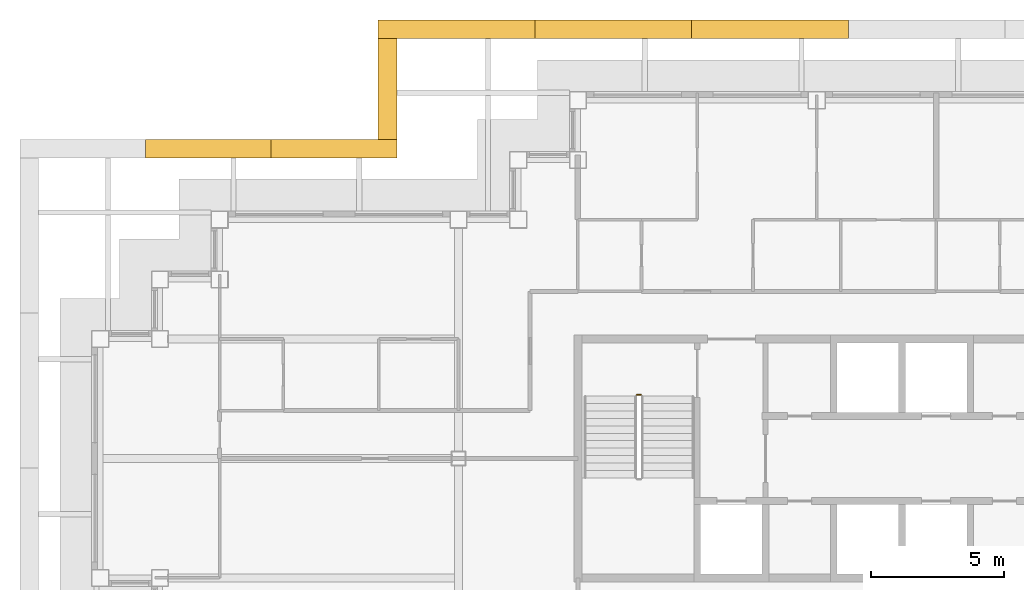
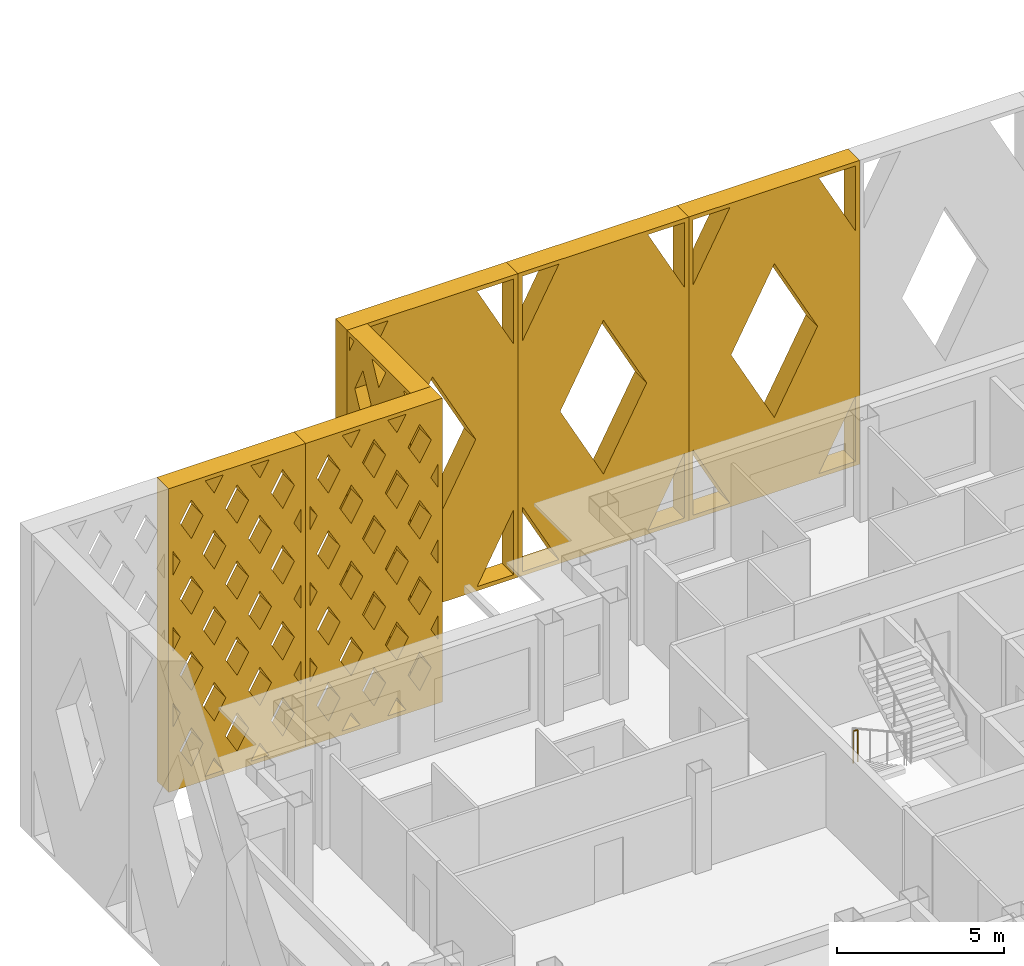
# One storey, part 16 of 17: 6 shading devices, 1 railing.
"""IFC4 building model written with IfcOpenShell, lengths in metres."""

from ifc_helpers import new_model, si_unit, direction, frame, origin, origin_2d, place, context, subcontext, project, spatial, polyline, circle, outline, extrude, material, type_object, element, save


model = new_model("IFC4")

# Units and contexts
model_context = context("Model", 3, precision=1e-05, world=origin(), true_north=direction((0.0, 1.0)))
body_context = subcontext(model_context, "Body", "Model", "MODEL_VIEW")
ifc_project = project(units=[si_unit("LENGTHUNIT", "METRE"), si_unit("AREAUNIT", "SQUARE_METRE"), si_unit("VOLUMEUNIT", "CUBIC_METRE"), si_unit("PLANEANGLEUNIT", "RADIAN"), si_unit("MASSUNIT", "GRAM", prefix="KILO")], contexts=[model_context])

# Site, building, storey
site_placement = place(None, origin())
site = spatial("IfcSite", under=ifc_project, at=site_placement, CompositionType="ELEMENT")
building_placement = place(site_placement, origin())
building = spatial("IfcBuilding", under=site, at=building_placement, Name="Caravel Reach Hotel and Residences", CompositionType="ELEMENT")
storey_placement = place(building_placement, frame((0.0, 0.0, 222.0)))
storey = spatial("IfcBuildingStorey", under=building, at=storey_placement, Name="L56", CompositionType="ELEMENT", Elevation=222.0)

# Shading devices
ifc_material_1 = material(Name="Black powder-coated aluminium", Category="aluminium")
shading_device_type_1 = type_object("IfcShadingDeviceType", Name="Diamond lattice screen panel 3800 x 11100", PredefinedType="USERDEFINED", material=ifc_material_1)
shading_device_1_placement = place(storey_placement, frame((11.175048828125, 42.824951171875, 0.0), z_axis=(-1.0, 0.0, 0.0), x_axis=(0.0, -1.0, 0.0)))
element("IfcShadingDevice", 1, at=shading_device_1_placement, inside=storey, type_object=shading_device_type_1, Name="Lattice screen L56-L58 5.1", ObjectType="SCREEN", PredefinedType="USERDEFINED", context=body_context, shape_type="SweptSolid", body=[
    extrude(outline(polyline([(0.0, 0.0), (3.800048828125, 0.0), (3.800048828125, 11.10009765625), (0.0, 11.10009765625), (0.0, 0.0)]), holes=[polyline([(0.412109375, 0.14990234375), (0.14990234375, 0.660400390625), (0.14990234375, 0.14990234375), (0.412109375, 0.14990234375)]), polyline([(0.4892578125, 3.699951171875), (0.14990234375, 4.3603515625), (0.14990234375, 3.03955078125), (0.4892578125, 3.699951171875)]), polyline([(0.4892578125, 7.39990234375), (0.14990234375, 8.060302734375), (0.14990234375, 6.739501953125), (0.4892578125, 7.39990234375)]), polyline([(0.14990234375, 10.439697265625), (0.412109375, 10.949951171875), (0.14990234375, 10.949951171875), (0.14990234375, 10.439697265625)]), polyline([(0.949951171875, 2.802490234375), (0.4609375, 1.85009765625), (0.949951171875, 0.8974609375), (1.439208984375, 1.85009765625), (0.949951171875, 2.802490234375)]), polyline([(0.949951171875, 6.50244140625), (0.4609375, 5.550048828125), (0.949951171875, 4.597412109375), (1.439208984375, 5.550048828125), (0.949951171875, 6.50244140625)]), polyline([(0.949951171875, 10.20263671875), (0.4609375, 9.25), (0.949951171875, 8.29736328125), (1.439208984375, 9.25), (0.949951171875, 10.20263671875)]), polyline([(1.89990234375, 0.95263671875), (1.48779296875, 0.14990234375), (2.31201171875, 0.14990234375), (1.89990234375, 0.95263671875)]), polyline([(1.89990234375, 4.652587890625), (1.410888671875, 3.699951171875), (1.89990234375, 2.74755859375), (2.38916015625, 3.699951171875), (1.89990234375, 4.652587890625)]), polyline([(1.89990234375, 8.3525390625), (1.410888671875, 7.39990234375), (1.89990234375, 6.447509765625), (2.38916015625, 7.39990234375), (1.89990234375, 8.3525390625)]), polyline([(1.89990234375, 10.1474609375), (2.31201171875, 10.949951171875), (1.48779296875, 10.949951171875), (1.89990234375, 10.1474609375)]), polyline([(2.85009765625, 2.802490234375), (2.36083984375, 1.85009765625), (2.85009765625, 0.8974609375), (3.339111328125, 1.85009765625), (2.85009765625, 2.802490234375)]), polyline([(2.85009765625, 6.50244140625), (2.36083984375, 5.550048828125), (2.85009765625, 4.597412109375), (3.339111328125, 5.550048828125), (2.85009765625, 6.50244140625)]), polyline([(2.85009765625, 10.20263671875), (2.36083984375, 9.25), (2.85009765625, 8.29736328125), (3.339111328125, 9.25), (2.85009765625, 10.20263671875)]), polyline([(3.64990234375, 0.660400390625), (3.387939453125, 0.14990234375), (3.64990234375, 0.14990234375), (3.64990234375, 0.660400390625)]), polyline([(3.310791015625, 3.699951171875), (3.64990234375, 3.03955078125), (3.64990234375, 4.3603515625), (3.310791015625, 3.699951171875)]), polyline([(3.310791015625, 7.39990234375), (3.64990234375, 6.739501953125), (3.64990234375, 8.060302734375), (3.310791015625, 7.39990234375)]), polyline([(3.387939453125, 10.949951171875), (3.64990234375, 10.439697265625), (3.64990234375, 10.949951171875), (3.387939453125, 10.949951171875)])]), origin(), (0.0, 0.0, 1.0), 0.699951171875),
])
ifc_material_2 = material(Name="Black powder-coated aluminium", Category="aluminium")
shading_device_type_2 = type_object("IfcShadingDeviceType", Name="Diamond lattice screen panel 4733 x 11100", PredefinedType="USERDEFINED", material=ifc_material_2)
shading_device_2_placement = place(storey_placement, frame((11.175048828125, 38.324951171875, 0.0), z_axis=(0.0, 1.0, 0.0), x_axis=(-1.0, 0.0, 0.0)))
element("IfcShadingDevice", 2, at=shading_device_2_placement, inside=storey, type_object=shading_device_type_2, Name="Lattice screen L56-L58 6.1", ObjectType="SCREEN", PredefinedType="USERDEFINED", context=body_context, shape_type="SweptSolid", body=[
    extrude(outline(polyline([(0.0, 0.0), (4.7333984375, 0.0), (4.7333984375, 11.10009765625), (0.0, 11.10009765625), (0.0, 0.0)]), holes=[polyline([(0.401123046875, 2.77490234375), (0.14990234375, 3.216796875), (0.14990234375, 2.333251953125), (0.401123046875, 2.77490234375)]), polyline([(0.401123046875, 5.550048828125), (0.14990234375, 5.99169921875), (0.14990234375, 5.108154296875), (0.401123046875, 5.550048828125)]), polyline([(0.401123046875, 8.324951171875), (0.14990234375, 8.766845703125), (0.14990234375, 7.88330078125), (0.401123046875, 8.324951171875)]), polyline([(0.788818359375, 2.093017578125), (0.3876953125, 1.387451171875), (0.788818359375, 0.681884765625), (1.190185546875, 1.387451171875), (0.788818359375, 2.093017578125)]), polyline([(0.788818359375, 4.8681640625), (0.3876953125, 4.16259765625), (0.788818359375, 3.456787109375), (1.190185546875, 4.16259765625), (0.788818359375, 4.8681640625)]), polyline([(0.788818359375, 7.64306640625), (0.3876953125, 6.9375), (0.788818359375, 6.23193359375), (1.190185546875, 6.9375), (0.788818359375, 7.64306640625)]), polyline([(0.788818359375, 10.418212890625), (0.3876953125, 9.71240234375), (0.788818359375, 9.0068359375), (1.190185546875, 9.71240234375), (0.788818359375, 10.418212890625)]), polyline([(1.577880859375, 0.70556640625), (1.261962890625, 0.14990234375), (1.893798828125, 0.14990234375), (1.577880859375, 0.70556640625)]), polyline([(1.577880859375, 3.480712890625), (1.176513671875, 2.77490234375), (1.577880859375, 2.0693359375), (1.97900390625, 2.77490234375), (1.577880859375, 3.480712890625)]), polyline([(1.577880859375, 6.255615234375), (1.176513671875, 5.550048828125), (1.577880859375, 4.844482421875), (1.97900390625, 5.550048828125), (1.577880859375, 6.255615234375)]), polyline([(1.577880859375, 9.030517578125), (1.176513671875, 8.324951171875), (1.577880859375, 7.619384765625), (1.97900390625, 8.324951171875), (1.577880859375, 9.030517578125)]), polyline([(1.577880859375, 10.394287109375), (1.893798828125, 10.949951171875), (1.261962890625, 10.949951171875), (1.577880859375, 10.394287109375)]), polyline([(2.36669921875, 2.093017578125), (1.965576171875, 1.387451171875), (2.36669921875, 0.681884765625), (2.767822265625, 1.387451171875), (2.36669921875, 2.093017578125)]), polyline([(2.36669921875, 4.8681640625), (1.965576171875, 4.16259765625), (2.36669921875, 3.456787109375), (2.767822265625, 4.16259765625), (2.36669921875, 4.8681640625)]), polyline([(2.36669921875, 7.64306640625), (1.965576171875, 6.9375), (2.36669921875, 6.23193359375), (2.767822265625, 6.9375), (2.36669921875, 7.64306640625)]), polyline([(2.36669921875, 10.418212890625), (1.965576171875, 9.71240234375), (2.36669921875, 9.0068359375), (2.767822265625, 9.71240234375), (2.36669921875, 10.418212890625)]), polyline([(3.155517578125, 0.70556640625), (2.839599609375, 0.14990234375), (3.471435546875, 0.14990234375), (3.155517578125, 0.70556640625)]), polyline([(3.155517578125, 3.480712890625), (2.75439453125, 2.77490234375), (3.155517578125, 2.0693359375), (3.556640625, 2.77490234375), (3.155517578125, 3.480712890625)]), polyline([(3.155517578125, 6.255615234375), (2.75439453125, 5.550048828125), (3.155517578125, 4.844482421875), (3.556640625, 5.550048828125), (3.155517578125, 6.255615234375)]), polyline([(3.155517578125, 9.030517578125), (2.75439453125, 8.324951171875), (3.155517578125, 7.619384765625), (3.556640625, 8.324951171875), (3.155517578125, 9.030517578125)]), polyline([(3.155517578125, 10.394287109375), (3.471435546875, 10.949951171875), (2.839599609375, 10.949951171875), (3.155517578125, 10.394287109375)]), polyline([(3.9443359375, 2.093017578125), (3.543212890625, 1.387451171875), (3.9443359375, 0.681884765625), (4.345703125, 1.387451171875), (3.9443359375, 2.093017578125)]), polyline([(3.9443359375, 4.8681640625), (3.543212890625, 4.16259765625), (3.9443359375, 3.456787109375), (4.345703125, 4.16259765625), (3.9443359375, 4.8681640625)]), polyline([(3.9443359375, 7.64306640625), (3.543212890625, 6.9375), (3.9443359375, 6.23193359375), (4.345703125, 6.9375), (3.9443359375, 7.64306640625)]), polyline([(3.9443359375, 10.418212890625), (3.543212890625, 9.71240234375), (3.9443359375, 9.0068359375), (4.345703125, 9.71240234375), (3.9443359375, 10.418212890625)]), polyline([(4.33203125, 2.77490234375), (4.583251953125, 2.333251953125), (4.583251953125, 3.216796875), (4.33203125, 2.77490234375)]), polyline([(4.33203125, 5.550048828125), (4.583251953125, 5.108154296875), (4.583251953125, 5.99169921875), (4.33203125, 5.550048828125)]), polyline([(4.33203125, 8.324951171875), (4.583251953125, 7.88330078125), (4.583251953125, 8.766845703125), (4.33203125, 8.324951171875)])]), origin(), (0.0, 0.0, 1.0), 0.699951171875),
])
shading_device_3_placement = place(storey_placement, frame((6.441650390625, 38.324951171875, 0.0), z_axis=(0.0, 1.0, 0.0), x_axis=(-1.0, 0.0, 0.0)))
element("IfcShadingDevice", 3, at=shading_device_3_placement, inside=storey, type_object=shading_device_type_2, Name="Lattice screen L56-L58 6.2", ObjectType="SCREEN", PredefinedType="USERDEFINED", context=body_context, shape_type="SweptSolid", body=[
    extrude(outline(polyline([(0.0, 0.0), (4.7333984375, 0.0), (4.7333984375, 11.10009765625), (0.0, 11.10009765625), (0.0, 0.0)]), holes=[polyline([(0.401123046875, 2.77490234375), (0.14990234375, 3.216796875), (0.14990234375, 2.333251953125), (0.401123046875, 2.77490234375)]), polyline([(0.401123046875, 5.550048828125), (0.14990234375, 5.99169921875), (0.14990234375, 5.108154296875), (0.401123046875, 5.550048828125)]), polyline([(0.401123046875, 8.324951171875), (0.14990234375, 8.766845703125), (0.14990234375, 7.88330078125), (0.401123046875, 8.324951171875)]), polyline([(0.788818359375, 2.093017578125), (0.3876953125, 1.387451171875), (0.788818359375, 0.681884765625), (1.190185546875, 1.387451171875), (0.788818359375, 2.093017578125)]), polyline([(0.788818359375, 4.8681640625), (0.3876953125, 4.16259765625), (0.788818359375, 3.456787109375), (1.190185546875, 4.16259765625), (0.788818359375, 4.8681640625)]), polyline([(0.788818359375, 7.64306640625), (0.3876953125, 6.9375), (0.788818359375, 6.23193359375), (1.190185546875, 6.9375), (0.788818359375, 7.64306640625)]), polyline([(0.788818359375, 10.418212890625), (0.3876953125, 9.71240234375), (0.788818359375, 9.0068359375), (1.190185546875, 9.71240234375), (0.788818359375, 10.418212890625)]), polyline([(1.577880859375, 0.70556640625), (1.261962890625, 0.14990234375), (1.893798828125, 0.14990234375), (1.577880859375, 0.70556640625)]), polyline([(1.577880859375, 3.480712890625), (1.176513671875, 2.77490234375), (1.577880859375, 2.0693359375), (1.97900390625, 2.77490234375), (1.577880859375, 3.480712890625)]), polyline([(1.577880859375, 6.255615234375), (1.176513671875, 5.550048828125), (1.577880859375, 4.844482421875), (1.97900390625, 5.550048828125), (1.577880859375, 6.255615234375)]), polyline([(1.577880859375, 9.030517578125), (1.176513671875, 8.324951171875), (1.577880859375, 7.619384765625), (1.97900390625, 8.324951171875), (1.577880859375, 9.030517578125)]), polyline([(1.577880859375, 10.394287109375), (1.893798828125, 10.949951171875), (1.261962890625, 10.949951171875), (1.577880859375, 10.394287109375)]), polyline([(2.36669921875, 2.093017578125), (1.965576171875, 1.387451171875), (2.36669921875, 0.681884765625), (2.767822265625, 1.387451171875), (2.36669921875, 2.093017578125)]), polyline([(2.36669921875, 4.8681640625), (1.965576171875, 4.16259765625), (2.36669921875, 3.456787109375), (2.767822265625, 4.16259765625), (2.36669921875, 4.8681640625)]), polyline([(2.36669921875, 7.64306640625), (1.965576171875, 6.9375), (2.36669921875, 6.23193359375), (2.767822265625, 6.9375), (2.36669921875, 7.64306640625)]), polyline([(2.36669921875, 10.418212890625), (1.965576171875, 9.71240234375), (2.36669921875, 9.0068359375), (2.767822265625, 9.71240234375), (2.36669921875, 10.418212890625)]), polyline([(3.155517578125, 0.70556640625), (2.839599609375, 0.14990234375), (3.471435546875, 0.14990234375), (3.155517578125, 0.70556640625)]), polyline([(3.155517578125, 3.480712890625), (2.75439453125, 2.77490234375), (3.155517578125, 2.0693359375), (3.556640625, 2.77490234375), (3.155517578125, 3.480712890625)]), polyline([(3.155517578125, 6.255615234375), (2.75439453125, 5.550048828125), (3.155517578125, 4.844482421875), (3.556640625, 5.550048828125), (3.155517578125, 6.255615234375)]), polyline([(3.155517578125, 9.030517578125), (2.75439453125, 8.324951171875), (3.155517578125, 7.619384765625), (3.556640625, 8.324951171875), (3.155517578125, 9.030517578125)]), polyline([(3.155517578125, 10.394287109375), (3.471435546875, 10.949951171875), (2.839599609375, 10.949951171875), (3.155517578125, 10.394287109375)]), polyline([(3.9443359375, 2.093017578125), (3.543212890625, 1.387451171875), (3.9443359375, 0.681884765625), (4.345703125, 1.387451171875), (3.9443359375, 2.093017578125)]), polyline([(3.9443359375, 4.8681640625), (3.543212890625, 4.16259765625), (3.9443359375, 3.456787109375), (4.345703125, 4.16259765625), (3.9443359375, 4.8681640625)]), polyline([(3.9443359375, 7.64306640625), (3.543212890625, 6.9375), (3.9443359375, 6.23193359375), (4.345703125, 6.9375), (3.9443359375, 7.64306640625)]), polyline([(3.9443359375, 10.418212890625), (3.543212890625, 9.71240234375), (3.9443359375, 9.0068359375), (4.345703125, 9.71240234375), (3.9443359375, 10.418212890625)]), polyline([(4.33203125, 2.77490234375), (4.583251953125, 2.333251953125), (4.583251953125, 3.216796875), (4.33203125, 2.77490234375)]), polyline([(4.33203125, 5.550048828125), (4.583251953125, 5.108154296875), (4.583251953125, 5.99169921875), (4.33203125, 5.550048828125)]), polyline([(4.33203125, 8.324951171875), (4.583251953125, 7.88330078125), (4.583251953125, 8.766845703125), (4.33203125, 8.324951171875)])]), origin(), (0.0, 0.0, 1.0), 0.699951171875),
])
ifc_material_3 = material(Name="Black powder-coated aluminium", Category="aluminium")
shading_device_type_3 = type_object("IfcShadingDeviceType", Name="Diamond lattice screen panel 5907 x 11100", PredefinedType="USERDEFINED", material=ifc_material_3)
for number, where, z_axis, x_axis, name in (
    (4, (28.196533203125, 42.824951171875, 0.0), (0.0, 1.0, 0.0), (-1.0, 0.0, 0.0), "Lattice screen L56-L58 4.5"),
    (5, (22.289306640625, 42.824951171875, 0.0), (0.0, 1.0, 0.0), (-1.0, 0.0, 0.0), "Lattice screen L56-L58 4.6"),
    (6, (16.382080078125, 42.824951171875, 0.0), (0.0, 1.0, 0.0), (-1.0, 0.0, 0.0), "Lattice screen L56-L58 4.7"),
):
    element("IfcShadingDevice", number, at=place(storey_placement, frame(where, z_axis=z_axis, x_axis=x_axis)), inside=storey, type_object=shading_device_type_3, Name=name, ObjectType="SCREEN", PredefinedType="USERDEFINED", context=body_context, shape_type="SweptSolid", body=[
        extrude(outline(polyline([(0.0, 0.0), (5.9072265625, 0.0), (5.9072265625, 11.10009765625), (0.0, 11.10009765625), (0.0, 0.0)]), holes=[polyline([(1.415771484375, 0.14990234375), (0.14990234375, 2.5283203125), (0.14990234375, 0.14990234375), (1.415771484375, 0.14990234375)]), polyline([(0.14990234375, 8.57177734375), (1.415771484375, 10.949951171875), (0.14990234375, 10.949951171875), (0.14990234375, 8.57177734375)]), polyline([(2.95361328125, 8.360107421875), (1.4580078125, 5.550048828125), (2.95361328125, 2.73974609375), (4.448974609375, 5.550048828125), (2.95361328125, 8.360107421875)]), polyline([(5.757080078125, 2.5283203125), (4.491455078125, 0.14990234375), (5.757080078125, 0.14990234375), (5.757080078125, 2.5283203125)]), polyline([(4.491455078125, 10.949951171875), (5.757080078125, 8.57177734375), (5.757080078125, 10.949951171875), (4.491455078125, 10.949951171875)])]), origin(), (0.0, 0.0, 1.0), 0.699951171875),
    ])

# Railing
ifc_material_4 = material(Name="Steel balustrade with glass infill", Category="steel")
railing_type = type_object("IfcRailingType", Name="Guard 1200", PredefinedType="GUARDRAIL", material=ifc_material_4)
railing_placement = place(storey_placement, frame((20.22509765625, 29.39990234375, 0.0)))
element("IfcRailing", 7, at=railing_placement, inside=storey, type_object=railing_type, Name="L56 ST-A stair guard 4", PredefinedType="GUARDRAIL", context=body_context, shape_type="SweptSolid", body=[
    extrude(circle(Radius=0.02392578125, at=origin_2d()), frame((0.0, 0.0, 1.17578125), z_axis=(1.0, 0.0, 0.0), x_axis=(0.0, 1.0, 0.0)), (0.0, 0.0, 1.0), 0.14990234375),
    extrude(circle(Radius=0.02099609375, at=origin_2d()), origin(), (0.0, 0.0, 1.0), 1.15185546875),
    extrude(circle(Radius=0.02099609375, at=origin_2d()), frame((0.14990234375, 0.0, 0.0)), (0.0, 0.0, 1.0), 1.15185546875),
])

save(model, "model.ifc")
